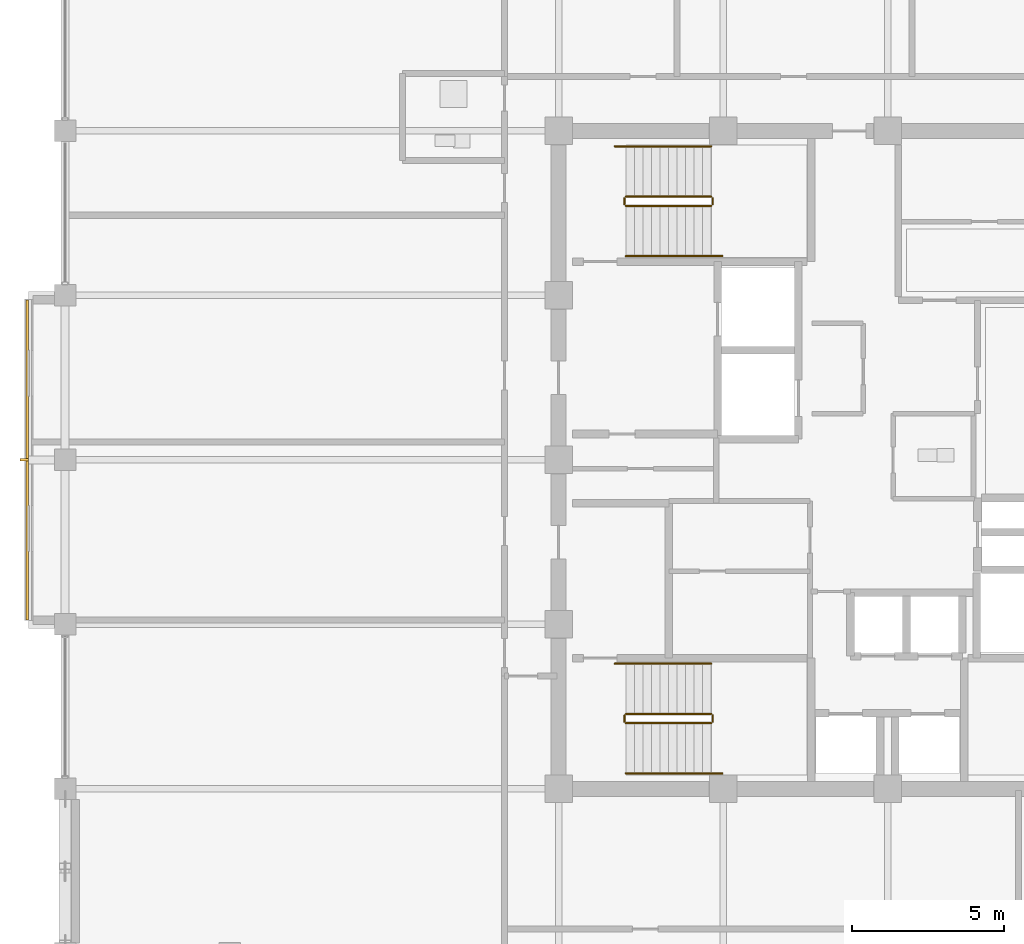
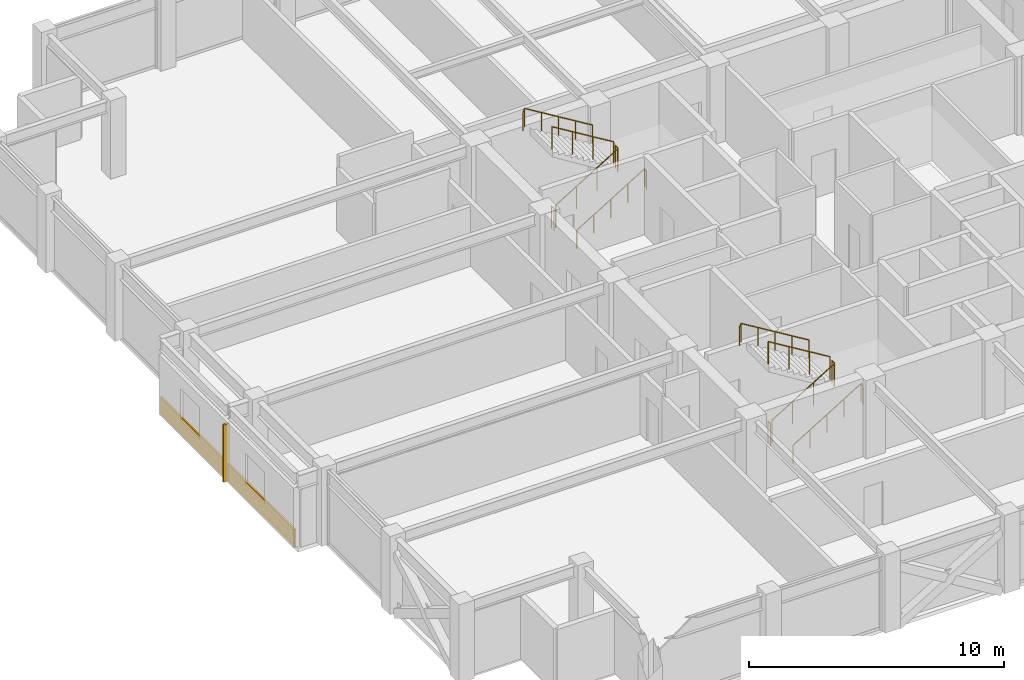
# One storey, part 27 of 29: 12 railings, 1 covering, 1 shading device.
"""IFC4 building model written with IfcOpenShell, lengths in metres."""

from ifc_helpers import new_model, si_unit, direction, frame, origin, origin_2d, place, context, subcontext, project, spatial, rectangle, circle, extrude, material, layer, layer_set, type_object, element, save


model = new_model("IFC4")

# Units and contexts
model_context = context("Model", 3, precision=1e-05, world=origin(), true_north=direction((0.0, 1.0)))
body_context = subcontext(model_context, "Body", "Model", "MODEL_VIEW")
ifc_project = project(units=[si_unit("LENGTHUNIT", "METRE"), si_unit("AREAUNIT", "SQUARE_METRE"), si_unit("VOLUMEUNIT", "CUBIC_METRE"), si_unit("PLANEANGLEUNIT", "RADIAN"), si_unit("MASSUNIT", "GRAM", prefix="KILO")], contexts=[model_context])

# Site, building, storey
site_placement = place(None, origin())
site = spatial("IfcSite", under=ifc_project, at=site_placement, CompositionType="ELEMENT")
building_placement = place(site_placement, origin())
building = spatial("IfcBuilding", under=site, at=building_placement, Name="Surkhivell Harbour Commons", CompositionType="ELEMENT")
storey_placement = place(building_placement, frame((0.0, 0.0, 273.75)))
storey = spatial("IfcBuildingStorey", under=building, at=storey_placement, Name="L71", CompositionType="ELEMENT", Elevation=273.75)

# Covering
ifc_material_1 = material(Name="Vermilion-coral enamelled aluminium cassette panel", Category="aluminium")
ifc_layer = layer(ifc_material_1, 0.074951171875)
ifc_layer_set = layer_set([ifc_layer], Name="Vermilion-coral enamelled aluminium cassette panel")
covering_type = type_object("IfcCoveringType", Name="COV-CLAD-VER", PredefinedType="CLADDING", material=ifc_layer_set)
covering_placement = place(storey_placement, frame((-28.239990234375, 0.0, 0.0), z_axis=(0.0, 0.0, 1.0), x_axis=(1.0, 0.0, 0.0)))
element("IfcCovering", 1, at=covering_placement, inside=storey, type_object=covering_type, Name="L71 Coloured-Panel Box Spandrel Cassette 02", PredefinedType="CLADDING", context=body_context, shape_type="SweptSolid", body=[
    extrude(rectangle(XDim=0.080078125, YDim=10.5, at=origin_2d()), origin(), (0.0, 0.0, 1.0), 0.840087890625),
])

# Railings
ifc_material_2 = material(Name="Galvanised and painted steel S355 guard rail", Category="steel")
railing_type_1 = type_object("IfcRailingType", Name="RAL-ST-GRD1100", PredefinedType="GUARDRAIL", material=ifc_material_2)
railing_1_placement = place(storey_placement, frame((-8.590087890625, 8.340087890625, 0.17041015625)))
element("IfcRailing", 2, at=railing_1_placement, inside=storey, type_object=railing_type_1, Name="L71 ST1 stair guard 1", PredefinedType="GUARDRAIL", context=body_context, shape_type="SweptSolid", body=[
    extrude(circle(Radius=0.02392578125, at=origin_2d()), frame((0.0, 0.0, 1.076171875), z_axis=(0.854169791009, 0.0, 0.51999420009), x_axis=(0.0, 1.0, 0.0)), (0.0, 0.0, 1.0), 3.278076171875),
    extrude(circle(Radius=0.02099609375, at=origin_2d()), origin(), (0.0, 0.0, 1.0), 1.052001953125),
    extrude(circle(Radius=0.02099609375, at=origin_2d()), frame((0.933349609375, 0.0, 0.568115234375)), (0.0, 0.0, 1.0), 1.052001953125),
    extrude(circle(Radius=0.02099609375, at=origin_2d()), frame((1.86669921875, 0.0, 1.136474609375)), (0.0, 0.0, 1.0), 1.052001953125),
    extrude(circle(Radius=0.02099609375, at=origin_2d()), frame((2.800048828125, 0.0, 1.70458984375)), (0.0, 0.0, 1.0), 1.052001953125),
])
railing_2_placement = place(storey_placement, frame((-5.739990234375, 8.389892578125, 1.875)))
element("IfcRailing", 3, at=railing_2_placement, inside=storey, type_object=railing_type_1, Name="L71 ST1 stair guard 2", PredefinedType="GUARDRAIL", context=body_context, shape_type="SweptSolid", body=[
    extrude(circle(Radius=0.02392578125, at=origin_2d()), frame((0.0, 0.0, 1.076171875), z_axis=(0.0, 1.0, 0.0), x_axis=(-1.0, 0.0, 0.0)), (0.0, 0.0, 1.0), 0.2001953125),
    extrude(circle(Radius=0.02099609375, at=origin_2d()), origin(), (0.0, 0.0, 1.0), 1.052001953125),
    extrude(circle(Radius=0.02099609375, at=origin_2d()), frame((0.0, 0.2001953125, 0.0)), (0.0, 0.0, 1.0), 1.052001953125),
])
railing_3_placement = place(storey_placement, frame((-5.7900390625, 8.639892578125, 2.04541015625)))
element("IfcRailing", 4, at=railing_3_placement, inside=storey, type_object=railing_type_1, Name="L71 ST1 stair guard 3", PredefinedType="GUARDRAIL", context=body_context, shape_type="SweptSolid", body=[
    extrude(circle(Radius=0.02392578125, at=origin_2d()), frame((0.0, 0.0, 1.076171875), z_axis=(-0.854169791009, 0.0, 0.51999420009), x_axis=(0.0, -1.0, 0.0)), (0.0, 0.0, 1.0), 3.278076171875),
    extrude(circle(Radius=0.02099609375, at=origin_2d()), origin(), (0.0, 0.0, 1.0), 1.052001953125),
    extrude(circle(Radius=0.02099609375, at=origin_2d()), frame((-0.933349609375, 0.0, 0.568115234375)), (0.0, 0.0, 1.0), 1.052001953125),
    extrude(circle(Radius=0.02099609375, at=origin_2d()), frame((-1.86669921875, 0.0, 1.136474609375)), (0.0, 0.0, 1.0), 1.052001953125),
    extrude(circle(Radius=0.02099609375, at=origin_2d()), frame((-2.800048828125, 0.0, 1.70458984375)), (0.0, 0.0, 1.0), 1.052001953125),
])
railing_4_placement = place(storey_placement, frame((-8.639892578125, 8.389892578125, 0.0)))
element("IfcRailing", 5, at=railing_4_placement, inside=storey, type_object=railing_type_1, Name="L71 ST1 stair guard 4", PredefinedType="GUARDRAIL", context=body_context, shape_type="SweptSolid", body=[
    extrude(circle(Radius=0.02392578125, at=origin_2d()), frame((0.0, 0.0, 1.076171875), z_axis=(0.0, 1.0, 0.0), x_axis=(-1.0, 0.0, 0.0)), (0.0, 0.0, 1.0), 0.2001953125),
    extrude(circle(Radius=0.02099609375, at=origin_2d()), origin(), (0.0, 0.0, 1.0), 1.052001953125),
    extrude(circle(Radius=0.02099609375, at=origin_2d()), frame((0.0, 0.2001953125, 0.0)), (0.0, 0.0, 1.0), 1.052001953125),
])
railing_5_placement = place(storey_placement, frame((-8.590087890625, -8.639892578125, 0.17041015625)))
element("IfcRailing", 6, at=railing_5_placement, inside=storey, type_object=railing_type_1, Name="L71 ST3 stair guard 1", PredefinedType="GUARDRAIL", context=body_context, shape_type="SweptSolid", body=[
    extrude(circle(Radius=0.02392578125, at=origin_2d()), frame((0.0, 0.0, 1.076171875), z_axis=(0.854169791009, 0.0, 0.51999420009), x_axis=(0.0, 1.0, 0.0)), (0.0, 0.0, 1.0), 3.278076171875),
    extrude(circle(Radius=0.02099609375, at=origin_2d()), origin(), (0.0, 0.0, 1.0), 1.052001953125),
    extrude(circle(Radius=0.02099609375, at=origin_2d()), frame((0.933349609375, 0.0, 0.568115234375)), (0.0, 0.0, 1.0), 1.052001953125),
    extrude(circle(Radius=0.02099609375, at=origin_2d()), frame((1.86669921875, 0.0, 1.136474609375)), (0.0, 0.0, 1.0), 1.052001953125),
    extrude(circle(Radius=0.02099609375, at=origin_2d()), frame((2.800048828125, 0.0, 1.70458984375)), (0.0, 0.0, 1.0), 1.052001953125),
])
railing_6_placement = place(storey_placement, frame((-5.739990234375, -8.590087890625, 1.875)))
element("IfcRailing", 7, at=railing_6_placement, inside=storey, type_object=railing_type_1, Name="L71 ST3 stair guard 2", PredefinedType="GUARDRAIL", context=body_context, shape_type="SweptSolid", body=[
    extrude(circle(Radius=0.02392578125, at=origin_2d()), frame((0.0, 0.0, 1.076171875), z_axis=(0.0, 1.0, 0.0), x_axis=(-1.0, 0.0, 0.0)), (0.0, 0.0, 1.0), 0.2001953125),
    extrude(circle(Radius=0.02099609375, at=origin_2d()), origin(), (0.0, 0.0, 1.0), 1.052001953125),
    extrude(circle(Radius=0.02099609375, at=origin_2d()), frame((0.0, 0.2001953125, 0.0)), (0.0, 0.0, 1.0), 1.052001953125),
])
railing_7_placement = place(storey_placement, frame((-5.7900390625, -8.340087890625, 2.04541015625)))
element("IfcRailing", 8, at=railing_7_placement, inside=storey, type_object=railing_type_1, Name="L71 ST3 stair guard 3", PredefinedType="GUARDRAIL", context=body_context, shape_type="SweptSolid", body=[
    extrude(circle(Radius=0.02392578125, at=origin_2d()), frame((0.0, 0.0, 1.076171875), z_axis=(-0.854169791009, 0.0, 0.51999420009), x_axis=(0.0, -1.0, 0.0)), (0.0, 0.0, 1.0), 3.278076171875),
    extrude(circle(Radius=0.02099609375, at=origin_2d()), origin(), (0.0, 0.0, 1.0), 1.052001953125),
    extrude(circle(Radius=0.02099609375, at=origin_2d()), frame((-0.933349609375, 0.0, 0.568115234375)), (0.0, 0.0, 1.0), 1.052001953125),
    extrude(circle(Radius=0.02099609375, at=origin_2d()), frame((-1.86669921875, 0.0, 1.136474609375)), (0.0, 0.0, 1.0), 1.052001953125),
    extrude(circle(Radius=0.02099609375, at=origin_2d()), frame((-2.800048828125, 0.0, 1.70458984375)), (0.0, 0.0, 1.0), 1.052001953125),
])
railing_8_placement = place(storey_placement, frame((-8.639892578125, -8.590087890625, 0.0)))
element("IfcRailing", 9, at=railing_8_placement, inside=storey, type_object=railing_type_1, Name="L71 ST3 stair guard 4", PredefinedType="GUARDRAIL", context=body_context, shape_type="SweptSolid", body=[
    extrude(circle(Radius=0.02392578125, at=origin_2d()), frame((0.0, 0.0, 1.076171875), z_axis=(0.0, 1.0, 0.0), x_axis=(-1.0, 0.0, 0.0)), (0.0, 0.0, 1.0), 0.2001953125),
    extrude(circle(Radius=0.02099609375, at=origin_2d()), origin(), (0.0, 0.0, 1.0), 1.052001953125),
    extrude(circle(Radius=0.02099609375, at=origin_2d()), frame((0.0, 0.2001953125, 0.0)), (0.0, 0.0, 1.0), 1.052001953125),
])
ifc_material_3 = material(Name="Brushed stainless steel S355 handrail", Category="steel")
railing_type_2 = type_object("IfcRailingType", Name="RAL-ST-HND900", PredefinedType="HANDRAIL", material=ifc_material_3)
railing_9_placement = place(storey_placement, frame((-8.590087890625, 6.68994140625, 0.17041015625)))
element("IfcRailing", 10, at=railing_9_placement, inside=storey, type_object=railing_type_2, Name="L71 ST1 stair handrail 1", PredefinedType="HANDRAIL", context=body_context, shape_type="SweptSolid", body=[
    extrude(circle(Radius=0.02392578125, at=origin_2d()), frame((0.0, 0.0, 0.8759765625), z_axis=(0.854177636135, 0.0, 0.519981313056), x_axis=(0.0, 1.0, 0.0)), (0.0, 0.0, 1.0), 3.60595703125),
    extrude(circle(Radius=0.02392578125, at=origin_2d()), frame((3.080078125, 0.0, 2.7509765625), z_axis=(0.425297416671, 0.0, -0.905053648892), x_axis=(0.0, 1.0, 0.0)), (0.0, 0.0, 1.0), 0.188232421875),
    extrude(circle(Radius=0.02099609375, at=origin_2d()), origin(), (0.0, 0.0, 1.0), 0.851806640625),
    extrude(circle(Radius=0.02099609375, at=origin_2d()), frame((0.77001953125, 0.0, 0.46875)), (0.0, 0.0, 1.0), 0.851806640625),
    extrude(circle(Radius=0.02099609375, at=origin_2d()), frame((1.5400390625, 0.0, 0.9375)), (0.0, 0.0, 1.0), 0.851806640625),
    extrude(circle(Radius=0.02099609375, at=origin_2d()), frame((2.31005859375, 0.0, 1.40625)), (0.0, 0.0, 1.0), 0.851806640625),
    extrude(circle(Radius=0.02099609375, at=origin_2d()), frame((3.080078125, 0.0, 1.875)), (0.0, 0.0, 1.0), 0.851806640625),
    extrude(circle(Radius=0.02099609375, at=origin_2d()), frame((3.16015625, 0.0, 1.70458984375)), (0.0, 0.0, 1.0), 0.851806640625),
])
railing_10_placement = place(storey_placement, frame((-5.7900390625, 10.2900390625, 2.04541015625)))
element("IfcRailing", 11, at=railing_10_placement, inside=storey, type_object=railing_type_2, Name="L71 ST1 stair handrail 2", PredefinedType="HANDRAIL", context=body_context, shape_type="SweptSolid", body=[
    extrude(circle(Radius=0.02392578125, at=origin_2d()), frame((0.0, 0.0, 0.8759765625), z_axis=(-0.854177636135, 0.0, 0.519981313056), x_axis=(0.0, -1.0, 0.0)), (0.0, 0.0, 1.0), 3.60595703125),
    extrude(circle(Radius=0.02392578125, at=origin_2d()), frame((-3.080078125, 0.0, 2.7509765625), z_axis=(-0.424234432967, 0.0, -0.905552398199), x_axis=(0.0, -1.0, 0.0)), (0.0, 0.0, 1.0), 0.188232421875),
    extrude(circle(Radius=0.02099609375, at=origin_2d()), origin(), (0.0, 0.0, 1.0), 0.851806640625),
    extrude(circle(Radius=0.02099609375, at=origin_2d()), frame((-0.77001953125, 0.0, 0.46875)), (0.0, 0.0, 1.0), 0.851806640625),
    extrude(circle(Radius=0.02099609375, at=origin_2d()), frame((-1.5400390625, 0.0, 0.9375)), (0.0, 0.0, 1.0), 0.851806640625),
    extrude(circle(Radius=0.02099609375, at=origin_2d()), frame((-2.31005859375, 0.0, 1.40625)), (0.0, 0.0, 1.0), 0.851806640625),
    extrude(circle(Radius=0.02099609375, at=origin_2d()), frame((-3.080078125, 0.0, 1.875)), (0.0, 0.0, 1.0), 0.851806640625),
    extrude(circle(Radius=0.02099609375, at=origin_2d()), frame((-3.159912109375, 0.0, 1.70458984375)), (0.0, 0.0, 1.0), 0.851806640625),
])
railing_11_placement = place(storey_placement, frame((-8.590087890625, -10.2900390625, 0.17041015625)))
element("IfcRailing", 12, at=railing_11_placement, inside=storey, type_object=railing_type_2, Name="L71 ST3 stair handrail 1", PredefinedType="HANDRAIL", context=body_context, shape_type="SweptSolid", body=[
    extrude(circle(Radius=0.02392578125, at=origin_2d()), frame((0.0, 0.0, 0.8759765625), z_axis=(0.854177636135, 0.0, 0.519981313056), x_axis=(0.0, 1.0, 0.0)), (0.0, 0.0, 1.0), 3.60595703125),
    extrude(circle(Radius=0.02392578125, at=origin_2d()), frame((3.080078125, 0.0, 2.7509765625), z_axis=(0.425297416671, 0.0, -0.905053648892), x_axis=(0.0, 1.0, 0.0)), (0.0, 0.0, 1.0), 0.188232421875),
    extrude(circle(Radius=0.02099609375, at=origin_2d()), origin(), (0.0, 0.0, 1.0), 0.851806640625),
    extrude(circle(Radius=0.02099609375, at=origin_2d()), frame((0.77001953125, 0.0, 0.46875)), (0.0, 0.0, 1.0), 0.851806640625),
    extrude(circle(Radius=0.02099609375, at=origin_2d()), frame((1.5400390625, 0.0, 0.9375)), (0.0, 0.0, 1.0), 0.851806640625),
    extrude(circle(Radius=0.02099609375, at=origin_2d()), frame((2.31005859375, 0.0, 1.40625)), (0.0, 0.0, 1.0), 0.851806640625),
    extrude(circle(Radius=0.02099609375, at=origin_2d()), frame((3.080078125, 0.0, 1.875)), (0.0, 0.0, 1.0), 0.851806640625),
    extrude(circle(Radius=0.02099609375, at=origin_2d()), frame((3.16015625, 0.0, 1.70458984375)), (0.0, 0.0, 1.0), 0.851806640625),
])
railing_12_placement = place(storey_placement, frame((-5.7900390625, -6.68994140625, 2.04541015625)))
element("IfcRailing", 13, at=railing_12_placement, inside=storey, type_object=railing_type_2, Name="L71 ST3 stair handrail 2", PredefinedType="HANDRAIL", context=body_context, shape_type="SweptSolid", body=[
    extrude(circle(Radius=0.02392578125, at=origin_2d()), frame((0.0, 0.0, 0.8759765625), z_axis=(-0.854177636135, 0.0, 0.519981313056), x_axis=(0.0, -1.0, 0.0)), (0.0, 0.0, 1.0), 3.60595703125),
    extrude(circle(Radius=0.02392578125, at=origin_2d()), frame((-3.080078125, 0.0, 2.7509765625), z_axis=(-0.424234432967, 0.0, -0.905552398199), x_axis=(0.0, -1.0, 0.0)), (0.0, 0.0, 1.0), 0.188232421875),
    extrude(circle(Radius=0.02099609375, at=origin_2d()), origin(), (0.0, 0.0, 1.0), 0.851806640625),
    extrude(circle(Radius=0.02099609375, at=origin_2d()), frame((-0.77001953125, 0.0, 0.46875)), (0.0, 0.0, 1.0), 0.851806640625),
    extrude(circle(Radius=0.02099609375, at=origin_2d()), frame((-1.5400390625, 0.0, 0.9375)), (0.0, 0.0, 1.0), 0.851806640625),
    extrude(circle(Radius=0.02099609375, at=origin_2d()), frame((-2.31005859375, 0.0, 1.40625)), (0.0, 0.0, 1.0), 0.851806640625),
    extrude(circle(Radius=0.02099609375, at=origin_2d()), frame((-3.080078125, 0.0, 1.875)), (0.0, 0.0, 1.0), 0.851806640625),
    extrude(circle(Radius=0.02099609375, at=origin_2d()), frame((-3.159912109375, 0.0, 1.70458984375)), (0.0, 0.0, 1.0), 0.851806640625),
])

# Shading device
ifc_material_4 = material(Name="Champagne anodised aluminium solar fin", Category="aluminium")
shading_device_type = type_object("IfcShadingDeviceType", Name="SHD-FIN-SLIM", PredefinedType="USERDEFINED", material=ifc_material_4)
shading_device_placement = place(storey_placement, frame((-28.340087890625, 0.0, 0.0048828125), z_axis=(0.0, 0.0, 1.0), x_axis=(1.0, 0.0, 0.0)))
element("IfcShadingDevice", 14, at=shading_device_placement, inside=storey, type_object=shading_device_type, Name="L71 Coloured-Box Solar Fin 02", ObjectType="FIN", PredefinedType="USERDEFINED", context=body_context, shape_type="SweptSolid", body=[
    extrude(rectangle(XDim=0.280029296875, YDim=0.080078125, at=origin_2d()), origin(), (0.0, 0.0, 1.0), 2.75),
])

save(model, "model.ifc")
